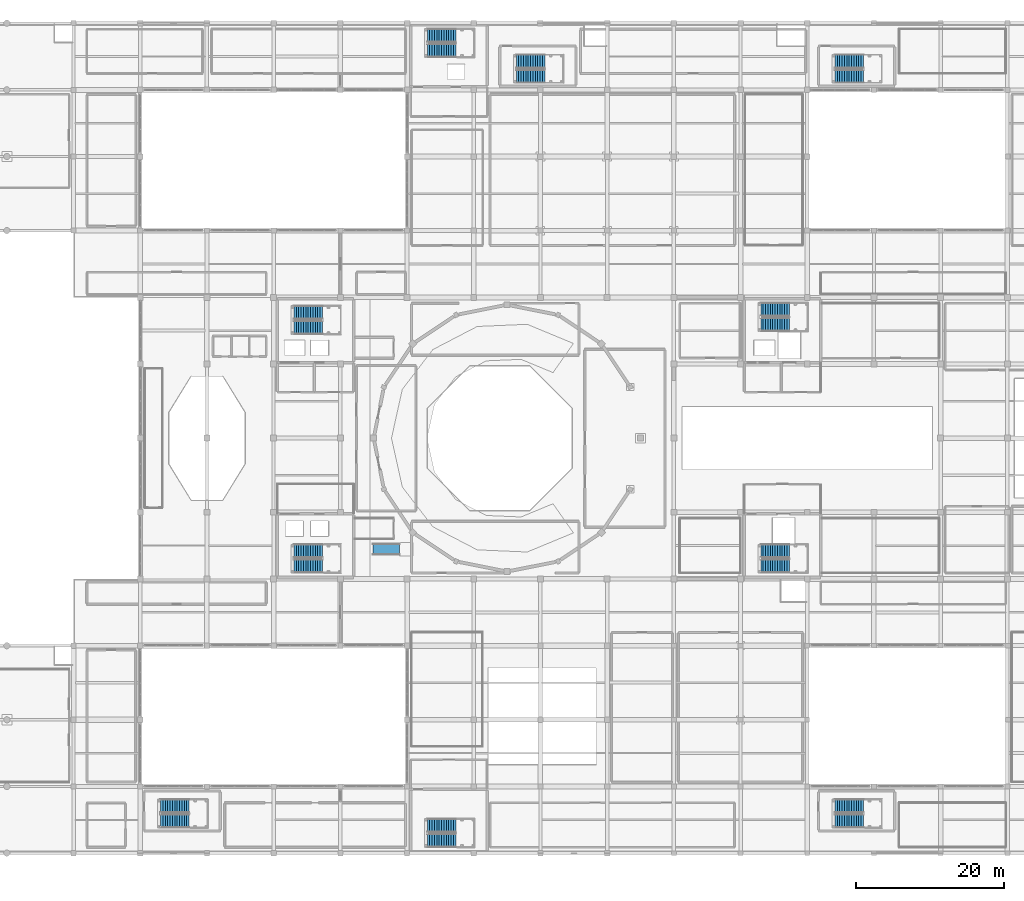
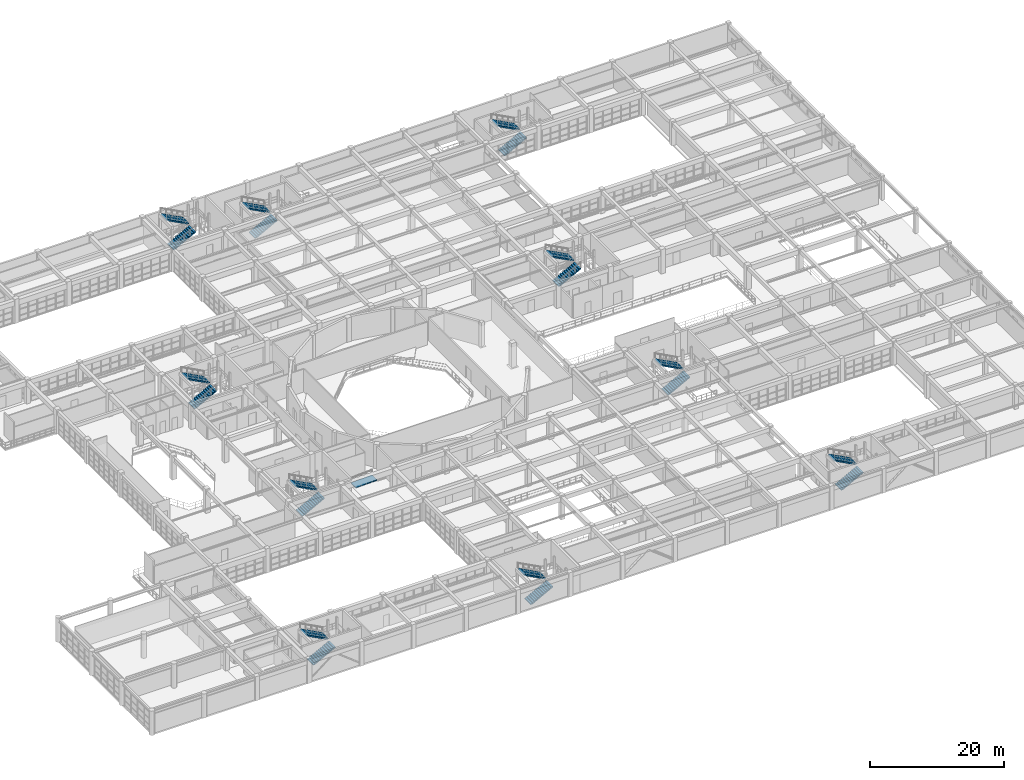
# One storey, part 118 of 133: 20 stair flights, 1 ramp flight, 11 elements without a shape of their own.
"""IFC4 building model written with IfcOpenShell, lengths in metres."""

import ifcopenshell
import ifcopenshell.guid

model = None  # the IFC model being written
_history = None  # IfcOwnerHistory: only IFC2X3 demands one
_inside = {}  # id of a spatial element -> (the spatial element, [elements in it])
_under = {}  # id of a project, library or spatial element -> (it, [spatial elements below it])
_declared = {}  # id of a project -> (the project, [libraries it declares])
_typed = {}  # id of a type object -> (the type object, [elements of that type])
_made_of = {}  # id of a material, layer set ... -> (it, [elements and type objects made of it])


def new_model(schema):
    """Start an empty IFC model of exactly this schema.

    Asked for "IFC4X3", IfcOpenShell would pick the latest addendum, in which some entities
    have other attributes; the version numbers below select the first issue.
    IFC2X3 requires an IfcOwnerHistory on every rooted entity: one is made here for all.
    """
    global model, _history
    if schema == "IFC4X3":
        model = ifcopenshell.file(schema_version=(4, 3, 0, 0))
    else:
        model = ifcopenshell.file(schema=schema)
    _inside.clear()
    _under.clear()
    _declared.clear()
    _typed.clear()
    _made_of.clear()
    _history = None
    if model.schema == "IFC2X3":
        org = make("IfcOrganization", Name="unknown")
        user = make(
            "IfcPersonAndOrganization",
            ThePerson=make("IfcPerson", FamilyName="unknown"),
            TheOrganization=org,
        )
        app = make(
            "IfcApplication",
            ApplicationDeveloper=org,
            Version="unknown",
            ApplicationFullName="unknown",
            ApplicationIdentifier="unknown",
        )
        _history = make(
            "IfcOwnerHistory",
            OwningUser=user,
            OwningApplication=app,
            ChangeAction="ADDED",
            CreationDate=0,
        )
    return model


def make(cls, **values):
    """One entity of the class cls with the attributes given. An attribute that is None is left unset."""
    return model.create_entity(
        cls, **{name: value for name, value in values.items() if value is not None}
    )


def rooted(cls, **values):
    """An entity with a GlobalId (a new one), such as an element, a storey or a relation."""
    return make(cls, GlobalId=ifcopenshell.guid.new(), OwnerHistory=_history, **values)


def si_unit(unit_type, name, prefix=None):
    """IfcSIUnit, for example si_unit("LENGTHUNIT", "METRE", prefix="MILLI")."""
    return make("IfcSIUnit", UnitType=unit_type, Prefix=prefix, Name=name)


def assignment(units):
    """IfcUnitAssignment: the units of a project."""
    return None if units is None else make("IfcUnitAssignment", Units=units)


def point(xyz):
    """IfcCartesianPoint."""
    return None if xyz is None else make("IfcCartesianPoint", Coordinates=xyz)


def direction(xyz):
    """IfcDirection."""
    return None if xyz is None else make("IfcDirection", DirectionRatios=xyz)


def frame(location, z_axis=None, x_axis=None):
    """IfcAxis2Placement3D, a coordinate frame: its origin and axes. An axis left out is left unset."""
    return make(
        "IfcAxis2Placement3D",
        Location=point(location),
        Axis=direction(z_axis),
        RefDirection=direction(x_axis),
    )


def origin():
    """The frame at (0, 0, 0) with its axes left unset."""
    return frame((0.0, 0.0, 0.0))


def place(relative_to, where):
    """IfcLocalPlacement: puts the frame where relative to a parent placement (None: the world)."""
    return make(
        "IfcLocalPlacement", PlacementRelTo=relative_to, RelativePlacement=where
    )


def context(
    kind, dimensions, precision=None, world=None, true_north=None, identifier=None
):
    """IfcGeometricRepresentationContext, for example the 3D "Model" context."""
    return make(
        "IfcGeometricRepresentationContext",
        ContextIdentifier=identifier,
        ContextType=kind,
        CoordinateSpaceDimension=dimensions,
        Precision=precision,
        WorldCoordinateSystem=world,
        TrueNorth=true_north,
    )


def subcontext(parent, identifier, kind, view, scale=None):
    """IfcGeometricRepresentationSubContext, for example "Body" below "Model"."""
    return make(
        "IfcGeometricRepresentationSubContext",
        ContextIdentifier=identifier,
        ContextType=kind,
        ParentContext=parent,
        TargetScale=scale,
        TargetView=view,
    )


def project(units=None, contexts=None):
    """IfcProject with its units and contexts."""
    return rooted(
        "IfcProject",
        Name="project",
        RepresentationContexts=contexts,
        UnitsInContext=assignment(units),
    )


def spatial(cls, under=None, at=None, **own):
    """A site, building, storey or space (cls), placed at a placement, below another one or the project."""
    s = rooted(cls, ObjectPlacement=at, **own)
    if under is not None:
        _under.setdefault(under.id(), (under, []))[1].append(s)
    return s


def polyline(points):
    """IfcPolyline through the points."""
    return make("IfcPolyline", Points=[point(p) for p in points])


def outline(outer, holes=None, kind="AREA"):
    """IfcArbitraryClosedProfileDef: a profile drawn as a closed curve; with holes, ...WithVoids."""
    if holes is None:
        return make("IfcArbitraryClosedProfileDef", ProfileType=kind, OuterCurve=outer)
    return make(
        "IfcArbitraryProfileDefWithVoids",
        ProfileType=kind,
        OuterCurve=outer,
        InnerCurves=holes,
    )


def extrude(swept, where, along, depth):
    """IfcExtrudedAreaSolid: the profile swept, set in the frame where, extruded along a direction by depth."""
    return make(
        "IfcExtrudedAreaSolid",
        SweptArea=swept,
        Position=where,
        ExtrudedDirection=direction(along),
        Depth=depth,
    )


def shape(context_of_items, identifier, shape_type, items):
    """IfcShapeRepresentation: the items that make up one representation, for example the "Body"."""
    return make(
        "IfcShapeRepresentation",
        ContextOfItems=context_of_items,
        RepresentationIdentifier=identifier,
        RepresentationType=shape_type,
        Items=items,
    )


def material(Name=None, Category=None):
    """IfcMaterial."""
    return make("IfcMaterial", Name=Name, Category=Category)


def layer(
    of_material, thickness, ventilated=None, Name=None, Category=None, Priority=None
):
    """IfcMaterialLayer: one layer of a wall or slab, of a material (None: an air gap)."""
    return make(
        "IfcMaterialLayer",
        Material=of_material,
        LayerThickness=thickness,
        IsVentilated=ventilated,
        Name=Name,
        Category=Category,
        Priority=Priority,
    )


def layer_set(layers, Name=None):
    """IfcMaterialLayerSet."""
    return make("IfcMaterialLayerSet", MaterialLayers=layers, LayerSetName=Name)


def made_of(thing, what):
    """Note that an element or type object is made of a material, layer set ...; save() writes the relation."""
    if what is not None:
        _made_of.setdefault(what.id(), (what, []))[1].append(thing)
    return thing


def type_object(cls, material=None, **own):
    """A type object (cls), such as IfcWallType, which elements share."""
    return made_of(rooted(cls, **own), material)


def element(
    cls,
    number,
    at=None,
    inside=None,
    cuts=None,
    type_object=None,
    material=None,
    context=None,
    identifier="Body",
    shape_type=None,
    held_by="IfcProductDefinitionShape",
    body=None,
    shapes=None,
    **own,
):
    """One element of the class cls, such as IfcWall. Its Tag is "e" and its number.

    at: its placement. inside: the storey or other place that contains it. cuts: it is an
    opening in that element (IfcRelVoidsElement). A single representation is given by context,
    identifier, shape_type and body (its items); several are given by shapes. held_by: the class
    of the entity that holds the representations. save() writes the other relations.
    """
    e = rooted(cls, Tag="e%d" % number, ObjectPlacement=at, **own)
    if body is not None:
        shapes = [shape(context, identifier, shape_type, body)]
    if shapes is not None:
        e.Representation = make(held_by, Representations=shapes)
    if inside is not None:
        _inside.setdefault(inside.id(), (inside, []))[1].append(e)
    if cuts is not None:
        rooted(
            "IfcRelVoidsElement", RelatingBuildingElement=cuts, RelatedOpeningElement=e
        )
    if type_object is not None:
        _typed.setdefault(type_object.id(), (type_object, []))[1].append(e)
    return made_of(e, material)


def aggregate(whole, parts):
    """IfcRelAggregates: a whole, such as a stair, and the parts it consists of."""
    return rooted("IfcRelAggregates", RelatingObject=whole, RelatedObjects=parts)


def save(model, path):
    """Write the relations noted so far, then the file.

    IfcRelAggregates (storeys below a building ...), IfcRelContainedInSpatialStructure (elements
    in a storey), IfcRelDefinesByType, IfcRelAssociatesMaterial and IfcRelDeclares: one each for
    every whole, place, type object, material and project.
    """
    for whole, parts in _under.values():
        aggregate(whole, parts)
    for where, things in _inside.values():
        rooted(
            "IfcRelContainedInSpatialStructure",
            RelatedElements=things,
            RelatingStructure=where,
        )
    for kind, things in _typed.values():
        rooted("IfcRelDefinesByType", RelatedObjects=things, RelatingType=kind)
    for what, things in _made_of.values():
        rooted("IfcRelAssociatesMaterial", RelatedObjects=things, RelatingMaterial=what)
    for by, libraries in _declared.values():
        rooted("IfcRelDeclares", RelatingContext=by, RelatedDefinitions=libraries)
    model.write(path)


model = new_model("IFC4")

# Units and contexts
model_context = context("Model", 3, precision=1e-05, world=origin(), true_north=direction((0.0, 1.0)))
body_context = subcontext(model_context, "Body", "Model", "MODEL_VIEW")
ifc_project = project(units=[si_unit("LENGTHUNIT", "METRE"), si_unit("AREAUNIT", "SQUARE_METRE"), si_unit("VOLUMEUNIT", "CUBIC_METRE"), si_unit("PLANEANGLEUNIT", "RADIAN"), si_unit("MASSUNIT", "GRAM", prefix="KILO")], contexts=[model_context])

# Site, building, storey
site_placement = place(None, origin())
site = spatial("IfcSite", under=ifc_project, at=site_placement, CompositionType="ELEMENT")
building_placement = place(site_placement, origin())
building = spatial("IfcBuilding", under=site, at=building_placement, Name="Miravela Opera House", CompositionType="ELEMENT")
storey_placement = place(building_placement, frame((0.0, 0.0, 5.10009765625)))
storey = spatial("IfcBuildingStorey", under=building, at=storey_placement, Name="L01", CompositionType="ELEMENT", Elevation=5.10009765625)

# Stair, stair flights
ifc_material = material(Name="Concrete C35/45", Category="concrete")
stair_type_1 = type_object("IfcStairType", Name="ARC-STAIR-CORE-1680", PredefinedType="HALF_TURN_STAIR", material=ifc_material)
stair_1_placement = place(storey_placement, origin())
stair_1 = element("IfcStair", 1, at=stair_1_placement, inside=storey, type_object=stair_type_1, Name="L01 Core K1 North Foyer and Firefighting Core Exit Stair ST-01", PredefinedType="HALF_TURN_STAIR")
stair_flight_type_1 = type_object("IfcStairFlightType", Name="ARC-FLIGHT-1680", PredefinedType="STRAIGHT", material=ifc_material)
stair_flight_1_placement = place(storey_placement, frame((47.739990234375, 70.919921875, 0.0), z_axis=(0.0, 0.0, 1.0), x_axis=(1.0, 0.0, 0.0)))
stair_flight_1 = element("IfcStairFlight", 2, at=stair_flight_1_placement, type_object=stair_flight_type_1, Name="ST-01 flight 1", NumberOfRisers=13, NumberOfTreads=12, PredefinedType="STRAIGHT", RiserHeight=0.17, TreadLength=0.32, context=body_context, shape_type="SweptSolid", body=[
    extrude(outline(polyline([(0.0, 0.0), (0.0, 0.169921875), (0.320068359375, 0.169921875), (0.320068359375, 0.340087890625), (0.639892578125, 0.340087890625), (0.639892578125, 0.510009765625), (0.9599609375, 0.510009765625), (0.9599609375, 0.679931640625), (1.280029296875, 0.679931640625), (1.280029296875, 0.85009765625), (1.60009765625, 0.85009765625), (1.60009765625, 1.02001953125), (1.919921875, 1.02001953125), (1.919921875, 1.18994140625), (2.239990234375, 1.18994140625), (2.239990234375, 1.360107421875), (2.56005859375, 1.360107421875), (2.56005859375, 1.530029296875), (2.8798828125, 1.530029296875), (2.8798828125, 1.699951171875), (3.199951171875, 1.699951171875), (3.199951171875, 1.8701171875), (3.52001953125, 1.8701171875), (3.52001953125, 2.0400390625), (3.840087890625, 2.0400390625), (3.840087890625, 2.2099609375), (3.840087890625, 1.870361328125), (0.319580078125, 0.0), (0.0, 0.0)])), frame((0.0, 0.919921875, 0.0), z_axis=(0.0, -1.0, 0.0), x_axis=(1.0, 0.0, 0.0)), (0.0, 0.0, 1.0), 1.840087890625),
])
stair_flight_2_placement = place(storey_placement, frame((51.580078125, 72.9599609375, 2.2099609375), z_axis=(0.0, 0.0, 1.0), x_axis=(-1.0, 0.0, 0.0)))
stair_flight_2 = element("IfcStairFlight", 3, at=stair_flight_2_placement, type_object=stair_flight_type_1, Name="ST-01 flight 2", NumberOfRisers=13, NumberOfTreads=12, PredefinedType="STRAIGHT", RiserHeight=0.17, TreadLength=0.32, context=body_context, shape_type="SweptSolid", body=[
    extrude(outline(polyline([(0.0, 0.0), (0.0, 0.169921875), (0.320068359375, 0.169921875), (0.320068359375, 0.340087890625), (0.639892578125, 0.340087890625), (0.639892578125, 0.510009765625), (0.9599609375, 0.510009765625), (0.9599609375, 0.679931640625), (1.280029296875, 0.679931640625), (1.280029296875, 0.85009765625), (1.60009765625, 0.85009765625), (1.60009765625, 1.02001953125), (1.919921875, 1.02001953125), (1.919921875, 1.18994140625), (2.239990234375, 1.18994140625), (2.239990234375, 1.360107421875), (2.56005859375, 1.360107421875), (2.56005859375, 1.530029296875), (2.8798828125, 1.530029296875), (2.8798828125, 1.699951171875), (3.199951171875, 1.699951171875), (3.199951171875, 1.8701171875), (3.52001953125, 1.8701171875), (3.52001953125, 2.0400390625), (3.840087890625, 2.0400390625), (3.840087890625, 2.2099609375), (3.840087890625, 1.870361328125), (0.319580078125, 0.0), (0.0, 0.0)])), frame((0.0, 0.919921875, 0.0), z_axis=(0.0, -1.0, 0.0), x_axis=(1.0, 0.0, 0.0)), (0.0, 0.0, 1.0), 1.840087890625),
])
aggregate(stair_1, [stair_flight_1, stair_flight_2])

stair_2_placement = place(storey_placement, origin())
stair_2 = element("IfcStair", 4, at=stair_2_placement, inside=storey, type_object=stair_type_1, Name="L01 Core K2 South Foyer Core Exit Stair ST-02", PredefinedType="HALF_TURN_STAIR")
stair_flight_3_placement = place(storey_placement, frame((47.739990234375, 38.719970703125, 0.0), z_axis=(0.0, 0.0, 1.0), x_axis=(1.0, 0.0, 0.0)))
stair_flight_3 = element("IfcStairFlight", 5, at=stair_flight_3_placement, type_object=stair_flight_type_1, Name="ST-02 flight 1", NumberOfRisers=13, NumberOfTreads=12, PredefinedType="STRAIGHT", RiserHeight=0.17, TreadLength=0.32, context=body_context, shape_type="SweptSolid", body=[
    extrude(outline(polyline([(0.0, 0.0), (0.0, 0.169921875), (0.320068359375, 0.169921875), (0.320068359375, 0.340087890625), (0.639892578125, 0.340087890625), (0.639892578125, 0.510009765625), (0.9599609375, 0.510009765625), (0.9599609375, 0.679931640625), (1.280029296875, 0.679931640625), (1.280029296875, 0.85009765625), (1.60009765625, 0.85009765625), (1.60009765625, 1.02001953125), (1.919921875, 1.02001953125), (1.919921875, 1.18994140625), (2.239990234375, 1.18994140625), (2.239990234375, 1.360107421875), (2.56005859375, 1.360107421875), (2.56005859375, 1.530029296875), (2.8798828125, 1.530029296875), (2.8798828125, 1.699951171875), (3.199951171875, 1.699951171875), (3.199951171875, 1.8701171875), (3.52001953125, 1.8701171875), (3.52001953125, 2.0400390625), (3.840087890625, 2.0400390625), (3.840087890625, 2.2099609375), (3.840087890625, 1.870361328125), (0.319580078125, 0.0), (0.0, 0.0)])), frame((0.0, 0.919921875, 0.0), z_axis=(0.0, -1.0, 0.0), x_axis=(1.0, 0.0, 0.0)), (0.0, 0.0, 1.0), 1.840087890625),
])
stair_flight_4_placement = place(storey_placement, frame((51.580078125, 40.760009765625, 2.2099609375), z_axis=(0.0, 0.0, 1.0), x_axis=(-1.0, 0.0, 0.0)))
stair_flight_4 = element("IfcStairFlight", 6, at=stair_flight_4_placement, type_object=stair_flight_type_1, Name="ST-02 flight 2", NumberOfRisers=13, NumberOfTreads=12, PredefinedType="STRAIGHT", RiserHeight=0.17, TreadLength=0.32, context=body_context, shape_type="SweptSolid", body=[
    extrude(outline(polyline([(0.0, 0.0), (0.0, 0.169921875), (0.320068359375, 0.169921875), (0.320068359375, 0.340087890625), (0.639892578125, 0.340087890625), (0.639892578125, 0.510009765625), (0.9599609375, 0.510009765625), (0.9599609375, 0.679931640625), (1.280029296875, 0.679931640625), (1.280029296875, 0.85009765625), (1.60009765625, 0.85009765625), (1.60009765625, 1.02001953125), (1.919921875, 1.02001953125), (1.919921875, 1.18994140625), (2.239990234375, 1.18994140625), (2.239990234375, 1.360107421875), (2.56005859375, 1.360107421875), (2.56005859375, 1.530029296875), (2.8798828125, 1.530029296875), (2.8798828125, 1.699951171875), (3.199951171875, 1.699951171875), (3.199951171875, 1.8701171875), (3.52001953125, 1.8701171875), (3.52001953125, 2.0400390625), (3.840087890625, 2.0400390625), (3.840087890625, 2.2099609375), (3.840087890625, 1.870361328125), (0.319580078125, 0.0), (0.0, 0.0)])), frame((0.0, 0.919921875, 0.0), z_axis=(0.0, -1.0, 0.0), x_axis=(1.0, 0.0, 0.0)), (0.0, 0.0, 1.0), 1.840087890625),
])
aggregate(stair_2, [stair_flight_3, stair_flight_4])

stair_3_placement = place(storey_placement, origin())
stair_3 = element("IfcStair", 7, at=stair_3_placement, inside=storey, type_object=stair_type_1, Name="L01 Core K3 North Stage and Firefighting Core Exit Stair ST-03", PredefinedType="HALF_TURN_STAIR")
stair_flight_5_placement = place(storey_placement, frame((110.739990234375, 71.320068359375, 0.0), z_axis=(0.0, 0.0, 1.0), x_axis=(1.0, 0.0, 0.0)))
stair_flight_5 = element("IfcStairFlight", 8, at=stair_flight_5_placement, type_object=stair_flight_type_1, Name="ST-03 flight 1", NumberOfRisers=13, NumberOfTreads=12, PredefinedType="STRAIGHT", RiserHeight=0.17, TreadLength=0.32, context=body_context, shape_type="SweptSolid", body=[
    extrude(outline(polyline([(0.0, 0.0), (0.0, 0.169921875), (0.320068359375, 0.169921875), (0.320068359375, 0.340087890625), (0.639892578125, 0.340087890625), (0.639892578125, 0.510009765625), (0.9599609375, 0.510009765625), (0.9599609375, 0.679931640625), (1.280029296875, 0.679931640625), (1.280029296875, 0.85009765625), (1.60009765625, 0.85009765625), (1.60009765625, 1.02001953125), (1.919921875, 1.02001953125), (1.919921875, 1.18994140625), (2.239990234375, 1.18994140625), (2.239990234375, 1.360107421875), (2.56005859375, 1.360107421875), (2.56005859375, 1.530029296875), (2.8798828125, 1.530029296875), (2.8798828125, 1.699951171875), (3.199951171875, 1.699951171875), (3.199951171875, 1.8701171875), (3.52001953125, 1.8701171875), (3.52001953125, 2.0400390625), (3.840087890625, 2.0400390625), (3.840087890625, 2.2099609375), (3.840087890625, 1.870361328125), (0.319580078125, 0.0), (0.0, 0.0)])), frame((0.0, 0.919921875, 0.0), z_axis=(0.0, -1.0, 0.0), x_axis=(1.0, 0.0, 0.0)), (0.0, 0.0, 1.0), 1.840087890625),
])
stair_flight_6_placement = place(storey_placement, frame((114.580078125, 73.360107421875, 2.2099609375), z_axis=(0.0, 0.0, 1.0), x_axis=(-1.0, 0.0, 0.0)))
stair_flight_6 = element("IfcStairFlight", 9, at=stair_flight_6_placement, type_object=stair_flight_type_1, Name="ST-03 flight 2", NumberOfRisers=13, NumberOfTreads=12, PredefinedType="STRAIGHT", RiserHeight=0.17, TreadLength=0.32, context=body_context, shape_type="SweptSolid", body=[
    extrude(outline(polyline([(0.0, 0.0), (0.0, 0.169921875), (0.320068359375, 0.169921875), (0.320068359375, 0.340087890625), (0.639892578125, 0.340087890625), (0.639892578125, 0.510009765625), (0.9599609375, 0.510009765625), (0.9599609375, 0.679931640625), (1.280029296875, 0.679931640625), (1.280029296875, 0.85009765625), (1.60009765625, 0.85009765625), (1.60009765625, 1.02001953125), (1.919921875, 1.02001953125), (1.919921875, 1.18994140625), (2.239990234375, 1.18994140625), (2.239990234375, 1.360107421875), (2.56005859375, 1.360107421875), (2.56005859375, 1.530029296875), (2.8798828125, 1.530029296875), (2.8798828125, 1.699951171875), (3.199951171875, 1.699951171875), (3.199951171875, 1.8701171875), (3.52001953125, 1.8701171875), (3.52001953125, 2.0400390625), (3.840087890625, 2.0400390625), (3.840087890625, 2.2099609375), (3.840087890625, 1.870361328125), (0.319580078125, 0.0), (0.0, 0.0)])), frame((0.0, 0.919921875, 0.0), z_axis=(0.0, -1.0, 0.0), x_axis=(1.0, 0.0, 0.0)), (0.0, 0.0, 1.0), 1.840087890625),
])
aggregate(stair_3, [stair_flight_5, stair_flight_6])

stair_4_placement = place(storey_placement, origin())
stair_4 = element("IfcStair", 10, at=stair_4_placement, inside=storey, type_object=stair_type_1, Name="L01 Core K4 South Stage Core Exit Stair ST-04", PredefinedType="HALF_TURN_STAIR")
stair_flight_7_placement = place(storey_placement, frame((110.739990234375, 38.719970703125, 0.0), z_axis=(0.0, 0.0, 1.0), x_axis=(1.0, 0.0, 0.0)))
stair_flight_7 = element("IfcStairFlight", 11, at=stair_flight_7_placement, type_object=stair_flight_type_1, Name="ST-04 flight 1", NumberOfRisers=13, NumberOfTreads=12, PredefinedType="STRAIGHT", RiserHeight=0.17, TreadLength=0.32, context=body_context, shape_type="SweptSolid", body=[
    extrude(outline(polyline([(0.0, 0.0), (0.0, 0.169921875), (0.320068359375, 0.169921875), (0.320068359375, 0.340087890625), (0.639892578125, 0.340087890625), (0.639892578125, 0.510009765625), (0.9599609375, 0.510009765625), (0.9599609375, 0.679931640625), (1.280029296875, 0.679931640625), (1.280029296875, 0.85009765625), (1.60009765625, 0.85009765625), (1.60009765625, 1.02001953125), (1.919921875, 1.02001953125), (1.919921875, 1.18994140625), (2.239990234375, 1.18994140625), (2.239990234375, 1.360107421875), (2.56005859375, 1.360107421875), (2.56005859375, 1.530029296875), (2.8798828125, 1.530029296875), (2.8798828125, 1.699951171875), (3.199951171875, 1.699951171875), (3.199951171875, 1.8701171875), (3.52001953125, 1.8701171875), (3.52001953125, 2.0400390625), (3.840087890625, 2.0400390625), (3.840087890625, 2.2099609375), (3.840087890625, 1.870361328125), (0.319580078125, 0.0), (0.0, 0.0)])), frame((0.0, 0.919921875, 0.0), z_axis=(0.0, -1.0, 0.0), x_axis=(1.0, 0.0, 0.0)), (0.0, 0.0, 1.0), 1.840087890625),
])
stair_flight_8_placement = place(storey_placement, frame((114.580078125, 40.760009765625, 2.2099609375), z_axis=(0.0, 0.0, 1.0), x_axis=(-1.0, 0.0, 0.0)))
stair_flight_8 = element("IfcStairFlight", 12, at=stair_flight_8_placement, type_object=stair_flight_type_1, Name="ST-04 flight 2", NumberOfRisers=13, NumberOfTreads=12, PredefinedType="STRAIGHT", RiserHeight=0.17, TreadLength=0.32, context=body_context, shape_type="SweptSolid", body=[
    extrude(outline(polyline([(0.0, 0.0), (0.0, 0.169921875), (0.320068359375, 0.169921875), (0.320068359375, 0.340087890625), (0.639892578125, 0.340087890625), (0.639892578125, 0.510009765625), (0.9599609375, 0.510009765625), (0.9599609375, 0.679931640625), (1.280029296875, 0.679931640625), (1.280029296875, 0.85009765625), (1.60009765625, 0.85009765625), (1.60009765625, 1.02001953125), (1.919921875, 1.02001953125), (1.919921875, 1.18994140625), (2.239990234375, 1.18994140625), (2.239990234375, 1.360107421875), (2.56005859375, 1.360107421875), (2.56005859375, 1.530029296875), (2.8798828125, 1.530029296875), (2.8798828125, 1.699951171875), (3.199951171875, 1.699951171875), (3.199951171875, 1.8701171875), (3.52001953125, 1.8701171875), (3.52001953125, 2.0400390625), (3.840087890625, 2.0400390625), (3.840087890625, 2.2099609375), (3.840087890625, 1.870361328125), (0.319580078125, 0.0), (0.0, 0.0)])), frame((0.0, 0.919921875, 0.0), z_axis=(0.0, -1.0, 0.0), x_axis=(1.0, 0.0, 0.0)), (0.0, 0.0, 1.0), 1.840087890625),
])
aggregate(stair_4, [stair_flight_7, stair_flight_8])

stair_5_placement = place(storey_placement, origin())
stair_5 = element("IfcStair", 13, at=stair_5_placement, inside=storey, type_object=stair_type_1, Name="L01 Core K5 North Rehearsal Core Exit Stair ST-05", PredefinedType="HALF_TURN_STAIR")
stair_flight_9_placement = place(storey_placement, frame((65.739990234375, 108.320068359375, 0.0), z_axis=(0.0, 0.0, 1.0), x_axis=(1.0, 0.0, 0.0)))
stair_flight_9 = element("IfcStairFlight", 14, at=stair_flight_9_placement, type_object=stair_flight_type_1, Name="ST-05 flight 1", NumberOfRisers=13, NumberOfTreads=12, PredefinedType="STRAIGHT", RiserHeight=0.17, TreadLength=0.32, context=body_context, shape_type="SweptSolid", body=[
    extrude(outline(polyline([(0.0, 0.0), (0.0, 0.169921875), (0.320068359375, 0.169921875), (0.320068359375, 0.340087890625), (0.639892578125, 0.340087890625), (0.639892578125, 0.510009765625), (0.9599609375, 0.510009765625), (0.9599609375, 0.679931640625), (1.280029296875, 0.679931640625), (1.280029296875, 0.85009765625), (1.60009765625, 0.85009765625), (1.60009765625, 1.02001953125), (1.919921875, 1.02001953125), (1.919921875, 1.18994140625), (2.239990234375, 1.18994140625), (2.239990234375, 1.360107421875), (2.56005859375, 1.360107421875), (2.56005859375, 1.530029296875), (2.8798828125, 1.530029296875), (2.8798828125, 1.699951171875), (3.199951171875, 1.699951171875), (3.199951171875, 1.8701171875), (3.52001953125, 1.8701171875), (3.52001953125, 2.0400390625), (3.840087890625, 2.0400390625), (3.840087890625, 2.2099609375), (3.840087890625, 1.870361328125), (0.319580078125, 0.0), (0.0, 0.0)])), frame((0.0, 0.919921875, 0.0), z_axis=(0.0, -1.0, 0.0), x_axis=(1.0, 0.0, 0.0)), (0.0, 0.0, 1.0), 1.840087890625),
])
stair_flight_10_placement = place(storey_placement, frame((69.580078125, 110.360107421875, 2.2099609375), z_axis=(0.0, 0.0, 1.0), x_axis=(-1.0, 0.0, 0.0)))
stair_flight_10 = element("IfcStairFlight", 15, at=stair_flight_10_placement, type_object=stair_flight_type_1, Name="ST-05 flight 2", NumberOfRisers=13, NumberOfTreads=12, PredefinedType="STRAIGHT", RiserHeight=0.17, TreadLength=0.32, context=body_context, shape_type="SweptSolid", body=[
    extrude(outline(polyline([(0.0, 0.0), (0.0, 0.169921875), (0.320068359375, 0.169921875), (0.320068359375, 0.340087890625), (0.639892578125, 0.340087890625), (0.639892578125, 0.510009765625), (0.9599609375, 0.510009765625), (0.9599609375, 0.679931640625), (1.280029296875, 0.679931640625), (1.280029296875, 0.85009765625), (1.60009765625, 0.85009765625), (1.60009765625, 1.02001953125), (1.919921875, 1.02001953125), (1.919921875, 1.18994140625), (2.239990234375, 1.18994140625), (2.239990234375, 1.360107421875), (2.56005859375, 1.360107421875), (2.56005859375, 1.530029296875), (2.8798828125, 1.530029296875), (2.8798828125, 1.699951171875), (3.199951171875, 1.699951171875), (3.199951171875, 1.8701171875), (3.52001953125, 1.8701171875), (3.52001953125, 2.0400390625), (3.840087890625, 2.0400390625), (3.840087890625, 2.2099609375), (3.840087890625, 1.870361328125), (0.319580078125, 0.0), (0.0, 0.0)])), frame((0.0, 0.919921875, 0.0), z_axis=(0.0, -1.0, 0.0), x_axis=(1.0, 0.0, 0.0)), (0.0, 0.0, 1.0), 1.840087890625),
])
aggregate(stair_5, [stair_flight_9, stair_flight_10])

stair_6_placement = place(storey_placement, origin())
stair_6 = element("IfcStair", 16, at=stair_6_placement, inside=storey, type_object=stair_type_1, Name="L01 Core K6 South Artist Core Exit Stair ST-06", PredefinedType="HALF_TURN_STAIR")
stair_flight_11_placement = place(storey_placement, frame((65.739990234375, 1.719970703125, 0.0), z_axis=(0.0, 0.0, 1.0), x_axis=(1.0, 0.0, 0.0)))
stair_flight_11 = element("IfcStairFlight", 17, at=stair_flight_11_placement, type_object=stair_flight_type_1, Name="ST-06 flight 1", NumberOfRisers=13, NumberOfTreads=12, PredefinedType="STRAIGHT", RiserHeight=0.17, TreadLength=0.32, context=body_context, shape_type="SweptSolid", body=[
    extrude(outline(polyline([(0.0, 0.0), (0.0, 0.169921875), (0.320068359375, 0.169921875), (0.320068359375, 0.340087890625), (0.639892578125, 0.340087890625), (0.639892578125, 0.510009765625), (0.9599609375, 0.510009765625), (0.9599609375, 0.679931640625), (1.280029296875, 0.679931640625), (1.280029296875, 0.85009765625), (1.60009765625, 0.85009765625), (1.60009765625, 1.02001953125), (1.919921875, 1.02001953125), (1.919921875, 1.18994140625), (2.239990234375, 1.18994140625), (2.239990234375, 1.360107421875), (2.56005859375, 1.360107421875), (2.56005859375, 1.530029296875), (2.8798828125, 1.530029296875), (2.8798828125, 1.699951171875), (3.199951171875, 1.699951171875), (3.199951171875, 1.8701171875), (3.52001953125, 1.8701171875), (3.52001953125, 2.0400390625), (3.840087890625, 2.0400390625), (3.840087890625, 2.2099609375), (3.840087890625, 1.870361328125), (0.319580078125, 0.0), (0.0, 0.0)])), frame((0.0, 0.919921875, 0.0), z_axis=(0.0, -1.0, 0.0), x_axis=(1.0, 0.0, 0.0)), (0.0, 0.0, 1.0), 1.840087890625),
])
stair_flight_12_placement = place(storey_placement, frame((69.580078125, 3.760009765625, 2.2099609375), z_axis=(0.0, 0.0, 1.0), x_axis=(-1.0, 0.0, 0.0)))
stair_flight_12 = element("IfcStairFlight", 18, at=stair_flight_12_placement, type_object=stair_flight_type_1, Name="ST-06 flight 2", NumberOfRisers=13, NumberOfTreads=12, PredefinedType="STRAIGHT", RiserHeight=0.17, TreadLength=0.32, context=body_context, shape_type="SweptSolid", body=[
    extrude(outline(polyline([(0.0, 0.0), (0.0, 0.169921875), (0.320068359375, 0.169921875), (0.320068359375, 0.340087890625), (0.639892578125, 0.340087890625), (0.639892578125, 0.510009765625), (0.9599609375, 0.510009765625), (0.9599609375, 0.679931640625), (1.280029296875, 0.679931640625), (1.280029296875, 0.85009765625), (1.60009765625, 0.85009765625), (1.60009765625, 1.02001953125), (1.919921875, 1.02001953125), (1.919921875, 1.18994140625), (2.239990234375, 1.18994140625), (2.239990234375, 1.360107421875), (2.56005859375, 1.360107421875), (2.56005859375, 1.530029296875), (2.8798828125, 1.530029296875), (2.8798828125, 1.699951171875), (3.199951171875, 1.699951171875), (3.199951171875, 1.8701171875), (3.52001953125, 1.8701171875), (3.52001953125, 2.0400390625), (3.840087890625, 2.0400390625), (3.840087890625, 2.2099609375), (3.840087890625, 1.870361328125), (0.319580078125, 0.0), (0.0, 0.0)])), frame((0.0, 0.919921875, 0.0), z_axis=(0.0, -1.0, 0.0), x_axis=(1.0, 0.0, 0.0)), (0.0, 0.0, 1.0), 1.840087890625),
])
aggregate(stair_6, [stair_flight_11, stair_flight_12])

stair_type_2 = type_object("IfcStairType", Name="ARC-STAIR-WING-1680", PredefinedType="HALF_TURN_STAIR", material=ifc_material)
stair_7_placement = place(storey_placement, origin())
stair_7 = element("IfcStair", 19, at=stair_7_placement, inside=storey, type_object=stair_type_2, Name="L01 North Wing West Exit Stair ST-07", PredefinedType="HALF_TURN_STAIR")
stair_flight_type_2 = type_object("IfcStairFlightType", Name="ARC-FLIGHT-WING-1680", PredefinedType="STRAIGHT", material=ifc_material)
stair_flight_13_placement = place(storey_placement, frame((77.739990234375, 104.820068359375, 0.0), z_axis=(0.0, 0.0, 1.0), x_axis=(1.0, 0.0, 0.0)))
stair_flight_13 = element("IfcStairFlight", 20, at=stair_flight_13_placement, type_object=stair_flight_type_2, Name="ST-07 flight 1", NumberOfRisers=13, NumberOfTreads=12, PredefinedType="STRAIGHT", RiserHeight=0.17, TreadLength=0.32, context=body_context, shape_type="SweptSolid", body=[
    extrude(outline(polyline([(0.0, 0.0), (0.0, 0.169921875), (0.320068359375, 0.169921875), (0.320068359375, 0.340087890625), (0.639892578125, 0.340087890625), (0.639892578125, 0.510009765625), (0.9599609375, 0.510009765625), (0.9599609375, 0.679931640625), (1.280029296875, 0.679931640625), (1.280029296875, 0.85009765625), (1.60009765625, 0.85009765625), (1.60009765625, 1.02001953125), (1.919921875, 1.02001953125), (1.919921875, 1.18994140625), (2.239990234375, 1.18994140625), (2.239990234375, 1.360107421875), (2.56005859375, 1.360107421875), (2.56005859375, 1.530029296875), (2.8798828125, 1.530029296875), (2.8798828125, 1.699951171875), (3.199951171875, 1.699951171875), (3.199951171875, 1.8701171875), (3.52001953125, 1.8701171875), (3.52001953125, 2.0400390625), (3.840087890625, 2.0400390625), (3.840087890625, 2.2099609375), (3.840087890625, 1.870361328125), (0.319580078125, 0.0), (0.0, 0.0)])), frame((0.0, 0.919921875, 0.0), z_axis=(0.0, -1.0, 0.0), x_axis=(1.0, 0.0, 0.0)), (0.0, 0.0, 1.0), 1.840087890625),
])
stair_flight_14_placement = place(storey_placement, frame((81.580078125, 106.860107421875, 2.2099609375), z_axis=(0.0, 0.0, 1.0), x_axis=(-1.0, 0.0, 0.0)))
stair_flight_14 = element("IfcStairFlight", 21, at=stair_flight_14_placement, type_object=stair_flight_type_2, Name="ST-07 flight 2", NumberOfRisers=13, NumberOfTreads=12, PredefinedType="STRAIGHT", RiserHeight=0.17, TreadLength=0.32, context=body_context, shape_type="SweptSolid", body=[
    extrude(outline(polyline([(0.0, 0.0), (0.0, 0.169921875), (0.320068359375, 0.169921875), (0.320068359375, 0.340087890625), (0.639892578125, 0.340087890625), (0.639892578125, 0.510009765625), (0.9599609375, 0.510009765625), (0.9599609375, 0.679931640625), (1.280029296875, 0.679931640625), (1.280029296875, 0.85009765625), (1.60009765625, 0.85009765625), (1.60009765625, 1.02001953125), (1.919921875, 1.02001953125), (1.919921875, 1.18994140625), (2.239990234375, 1.18994140625), (2.239990234375, 1.360107421875), (2.56005859375, 1.360107421875), (2.56005859375, 1.530029296875), (2.8798828125, 1.530029296875), (2.8798828125, 1.699951171875), (3.199951171875, 1.699951171875), (3.199951171875, 1.8701171875), (3.52001953125, 1.8701171875), (3.52001953125, 2.0400390625), (3.840087890625, 2.0400390625), (3.840087890625, 2.2099609375), (3.840087890625, 1.870361328125), (0.319580078125, 0.0), (0.0, 0.0)])), frame((0.0, 0.919921875, 0.0), z_axis=(0.0, -1.0, 0.0), x_axis=(1.0, 0.0, 0.0)), (0.0, 0.0, 1.0), 1.840087890625),
])
aggregate(stair_7, [stair_flight_13, stair_flight_14])

stair_8_placement = place(storey_placement, origin())
stair_8 = element("IfcStair", 22, at=stair_8_placement, inside=storey, type_object=stair_type_2, Name="L01 South Wing West Exit Stair ST-08", PredefinedType="HALF_TURN_STAIR")
stair_flight_15_placement = place(storey_placement, frame((29.739990234375, 4.320068359375, 0.0), z_axis=(0.0, 0.0, 1.0), x_axis=(1.0, 0.0, 0.0)))
stair_flight_15 = element("IfcStairFlight", 23, at=stair_flight_15_placement, type_object=stair_flight_type_2, Name="ST-08 flight 1", NumberOfRisers=13, NumberOfTreads=12, PredefinedType="STRAIGHT", RiserHeight=0.17, TreadLength=0.32, context=body_context, shape_type="SweptSolid", body=[
    extrude(outline(polyline([(0.0, 0.0), (0.0, 0.169921875), (0.320068359375, 0.169921875), (0.320068359375, 0.340087890625), (0.639892578125, 0.340087890625), (0.639892578125, 0.510009765625), (0.9599609375, 0.510009765625), (0.9599609375, 0.679931640625), (1.280029296875, 0.679931640625), (1.280029296875, 0.85009765625), (1.60009765625, 0.85009765625), (1.60009765625, 1.02001953125), (1.919921875, 1.02001953125), (1.919921875, 1.18994140625), (2.239990234375, 1.18994140625), (2.239990234375, 1.360107421875), (2.56005859375, 1.360107421875), (2.56005859375, 1.530029296875), (2.8798828125, 1.530029296875), (2.8798828125, 1.699951171875), (3.199951171875, 1.699951171875), (3.199951171875, 1.8701171875), (3.52001953125, 1.8701171875), (3.52001953125, 2.0400390625), (3.840087890625, 2.0400390625), (3.840087890625, 2.2099609375), (3.840087890625, 1.870361328125), (0.319580078125, 0.0), (0.0, 0.0)])), frame((0.0, 0.919921875, 0.0), z_axis=(0.0, -1.0, 0.0), x_axis=(1.0, 0.0, 0.0)), (0.0, 0.0, 1.0), 1.840087890625),
])
stair_flight_16_placement = place(storey_placement, frame((33.580078125, 6.360107421875, 2.2099609375), z_axis=(0.0, 0.0, 1.0), x_axis=(-1.0, 0.0, 0.0)))
stair_flight_16 = element("IfcStairFlight", 24, at=stair_flight_16_placement, type_object=stair_flight_type_2, Name="ST-08 flight 2", NumberOfRisers=13, NumberOfTreads=12, PredefinedType="STRAIGHT", RiserHeight=0.17, TreadLength=0.32, context=body_context, shape_type="SweptSolid", body=[
    extrude(outline(polyline([(0.0, 0.0), (0.0, 0.169921875), (0.320068359375, 0.169921875), (0.320068359375, 0.340087890625), (0.639892578125, 0.340087890625), (0.639892578125, 0.510009765625), (0.9599609375, 0.510009765625), (0.9599609375, 0.679931640625), (1.280029296875, 0.679931640625), (1.280029296875, 0.85009765625), (1.60009765625, 0.85009765625), (1.60009765625, 1.02001953125), (1.919921875, 1.02001953125), (1.919921875, 1.18994140625), (2.239990234375, 1.18994140625), (2.239990234375, 1.360107421875), (2.56005859375, 1.360107421875), (2.56005859375, 1.530029296875), (2.8798828125, 1.530029296875), (2.8798828125, 1.699951171875), (3.199951171875, 1.699951171875), (3.199951171875, 1.8701171875), (3.52001953125, 1.8701171875), (3.52001953125, 2.0400390625), (3.840087890625, 2.0400390625), (3.840087890625, 2.2099609375), (3.840087890625, 1.870361328125), (0.319580078125, 0.0), (0.0, 0.0)])), frame((0.0, 0.919921875, 0.0), z_axis=(0.0, -1.0, 0.0), x_axis=(1.0, 0.0, 0.0)), (0.0, 0.0, 1.0), 1.840087890625),
])
aggregate(stair_8, [stair_flight_15, stair_flight_16])

stair_9_placement = place(storey_placement, origin())
stair_9 = element("IfcStair", 25, at=stair_9_placement, inside=storey, type_object=stair_type_2, Name="L01 East Rehearsal Wing Exit Stair ST-09", PredefinedType="HALF_TURN_STAIR")
stair_flight_17_placement = place(storey_placement, frame((120.739990234375, 104.820068359375, 0.0), z_axis=(0.0, 0.0, 1.0), x_axis=(1.0, 0.0, 0.0)))
stair_flight_17 = element("IfcStairFlight", 26, at=stair_flight_17_placement, type_object=stair_flight_type_2, Name="ST-09 flight 1", NumberOfRisers=13, NumberOfTreads=12, PredefinedType="STRAIGHT", RiserHeight=0.17, TreadLength=0.32, context=body_context, shape_type="SweptSolid", body=[
    extrude(outline(polyline([(0.0, 0.0), (0.0, 0.169921875), (0.320068359375, 0.169921875), (0.320068359375, 0.340087890625), (0.639892578125, 0.340087890625), (0.639892578125, 0.510009765625), (0.9599609375, 0.510009765625), (0.9599609375, 0.679931640625), (1.280029296875, 0.679931640625), (1.280029296875, 0.85009765625), (1.60009765625, 0.85009765625), (1.60009765625, 1.02001953125), (1.919921875, 1.02001953125), (1.919921875, 1.18994140625), (2.239990234375, 1.18994140625), (2.239990234375, 1.360107421875), (2.56005859375, 1.360107421875), (2.56005859375, 1.530029296875), (2.8798828125, 1.530029296875), (2.8798828125, 1.699951171875), (3.199951171875, 1.699951171875), (3.199951171875, 1.8701171875), (3.52001953125, 1.8701171875), (3.52001953125, 2.0400390625), (3.840087890625, 2.0400390625), (3.840087890625, 2.2099609375), (3.840087890625, 1.870361328125), (0.319580078125, 0.0), (0.0, 0.0)])), frame((0.0, 0.919921875, 0.0), z_axis=(0.0, -1.0, 0.0), x_axis=(1.0, 0.0, 0.0)), (0.0, 0.0, 1.0), 1.840087890625),
])
stair_flight_18_placement = place(storey_placement, frame((124.580078125, 106.860107421875, 2.2099609375), z_axis=(0.0, 0.0, 1.0), x_axis=(-1.0, 0.0, 0.0)))
stair_flight_18 = element("IfcStairFlight", 27, at=stair_flight_18_placement, type_object=stair_flight_type_2, Name="ST-09 flight 2", NumberOfRisers=13, NumberOfTreads=12, PredefinedType="STRAIGHT", RiserHeight=0.17, TreadLength=0.32, context=body_context, shape_type="SweptSolid", body=[
    extrude(outline(polyline([(0.0, 0.0), (0.0, 0.169921875), (0.320068359375, 0.169921875), (0.320068359375, 0.340087890625), (0.639892578125, 0.340087890625), (0.639892578125, 0.510009765625), (0.9599609375, 0.510009765625), (0.9599609375, 0.679931640625), (1.280029296875, 0.679931640625), (1.280029296875, 0.85009765625), (1.60009765625, 0.85009765625), (1.60009765625, 1.02001953125), (1.919921875, 1.02001953125), (1.919921875, 1.18994140625), (2.239990234375, 1.18994140625), (2.239990234375, 1.360107421875), (2.56005859375, 1.360107421875), (2.56005859375, 1.530029296875), (2.8798828125, 1.530029296875), (2.8798828125, 1.699951171875), (3.199951171875, 1.699951171875), (3.199951171875, 1.8701171875), (3.52001953125, 1.8701171875), (3.52001953125, 2.0400390625), (3.840087890625, 2.0400390625), (3.840087890625, 2.2099609375), (3.840087890625, 1.870361328125), (0.319580078125, 0.0), (0.0, 0.0)])), frame((0.0, 0.919921875, 0.0), z_axis=(0.0, -1.0, 0.0), x_axis=(1.0, 0.0, 0.0)), (0.0, 0.0, 1.0), 1.840087890625),
])
aggregate(stair_9, [stair_flight_17, stair_flight_18])

stair_10_placement = place(storey_placement, origin())
stair_10 = element("IfcStair", 28, at=stair_10_placement, inside=storey, type_object=stair_type_2, Name="L01 East Workshop Wing Exit Stair ST-10", PredefinedType="HALF_TURN_STAIR")
stair_flight_19_placement = place(storey_placement, frame((120.739990234375, 4.320068359375, 0.0), z_axis=(0.0, 0.0, 1.0), x_axis=(1.0, 0.0, 0.0)))
stair_flight_19 = element("IfcStairFlight", 29, at=stair_flight_19_placement, type_object=stair_flight_type_2, Name="ST-10 flight 1", NumberOfRisers=13, NumberOfTreads=12, PredefinedType="STRAIGHT", RiserHeight=0.17, TreadLength=0.32, context=body_context, shape_type="SweptSolid", body=[
    extrude(outline(polyline([(0.0, 0.0), (0.0, 0.169921875), (0.320068359375, 0.169921875), (0.320068359375, 0.340087890625), (0.639892578125, 0.340087890625), (0.639892578125, 0.510009765625), (0.9599609375, 0.510009765625), (0.9599609375, 0.679931640625), (1.280029296875, 0.679931640625), (1.280029296875, 0.85009765625), (1.60009765625, 0.85009765625), (1.60009765625, 1.02001953125), (1.919921875, 1.02001953125), (1.919921875, 1.18994140625), (2.239990234375, 1.18994140625), (2.239990234375, 1.360107421875), (2.56005859375, 1.360107421875), (2.56005859375, 1.530029296875), (2.8798828125, 1.530029296875), (2.8798828125, 1.699951171875), (3.199951171875, 1.699951171875), (3.199951171875, 1.8701171875), (3.52001953125, 1.8701171875), (3.52001953125, 2.0400390625), (3.840087890625, 2.0400390625), (3.840087890625, 2.2099609375), (3.840087890625, 1.870361328125), (0.319580078125, 0.0), (0.0, 0.0)])), frame((0.0, 0.919921875, 0.0), z_axis=(0.0, -1.0, 0.0), x_axis=(1.0, 0.0, 0.0)), (0.0, 0.0, 1.0), 1.840087890625),
])
stair_flight_20_placement = place(storey_placement, frame((124.580078125, 6.360107421875, 2.2099609375), z_axis=(0.0, 0.0, 1.0), x_axis=(-1.0, 0.0, 0.0)))
stair_flight_20 = element("IfcStairFlight", 30, at=stair_flight_20_placement, type_object=stair_flight_type_2, Name="ST-10 flight 2", NumberOfRisers=13, NumberOfTreads=12, PredefinedType="STRAIGHT", RiserHeight=0.17, TreadLength=0.32, context=body_context, shape_type="SweptSolid", body=[
    extrude(outline(polyline([(0.0, 0.0), (0.0, 0.169921875), (0.320068359375, 0.169921875), (0.320068359375, 0.340087890625), (0.639892578125, 0.340087890625), (0.639892578125, 0.510009765625), (0.9599609375, 0.510009765625), (0.9599609375, 0.679931640625), (1.280029296875, 0.679931640625), (1.280029296875, 0.85009765625), (1.60009765625, 0.85009765625), (1.60009765625, 1.02001953125), (1.919921875, 1.02001953125), (1.919921875, 1.18994140625), (2.239990234375, 1.18994140625), (2.239990234375, 1.360107421875), (2.56005859375, 1.360107421875), (2.56005859375, 1.530029296875), (2.8798828125, 1.530029296875), (2.8798828125, 1.699951171875), (3.199951171875, 1.699951171875), (3.199951171875, 1.8701171875), (3.52001953125, 1.8701171875), (3.52001953125, 2.0400390625), (3.840087890625, 2.0400390625), (3.840087890625, 2.2099609375), (3.840087890625, 1.870361328125), (0.319580078125, 0.0), (0.0, 0.0)])), frame((0.0, 0.919921875, 0.0), z_axis=(0.0, -1.0, 0.0), x_axis=(1.0, 0.0, 0.0)), (0.0, 0.0, 1.0), 1.840087890625),
])
aggregate(stair_10, [stair_flight_19, stair_flight_20])

# Ramp, ramp flight
ramp_type = type_object("IfcRampType", Name="ARC-RAMP-ACC-1800", PredefinedType="STRAIGHT_RUN_RAMP", material=ifc_material)
ramp_placement = place(storey_placement, origin())
ramp = element("IfcRamp", 31, at=ramp_placement, inside=storey, type_object=ramp_type, Name="Box Tier Wheelchair Position Ramp", PredefinedType="STRAIGHT_RUN_RAMP")
ifc_layer = layer(ifc_material, 0.219970703125)
ifc_layer_set = layer_set([ifc_layer])
ramp_flight_type = type_object("IfcRampFlightType", Name="ARC-RFLIGHT-ACC-220", PredefinedType="STRAIGHT", material=ifc_layer_set)
ramp_flight_placement = place(storey_placement, frame((58.39990234375, 41.0, 0.0), z_axis=(0.0, 0.0, 1.0), x_axis=(1.0, 0.0, 0.0)))
ramp_flight = element("IfcRampFlight", 32, at=ramp_flight_placement, type_object=ramp_flight_type, Name="Box Tier Wheelchair Position Ramp flight 1", PredefinedType="STRAIGHT", context=body_context, shape_type="SweptSolid", body=[
    extrude(outline(polyline([(0.0, 0.0), (3.60009765625, 0.179931640625), (3.60009765625, 0.0), (0.0, -0.179931640625), (0.0, 0.0)])), frame((0.0, 0.75, 0.0), z_axis=(0.0, -1.0, 0.0), x_axis=(1.0, 0.0, 0.0)), (0.0, 0.0, 1.0), 1.5),
])
aggregate(ramp, [ramp_flight])

save(model, "model.ifc")
